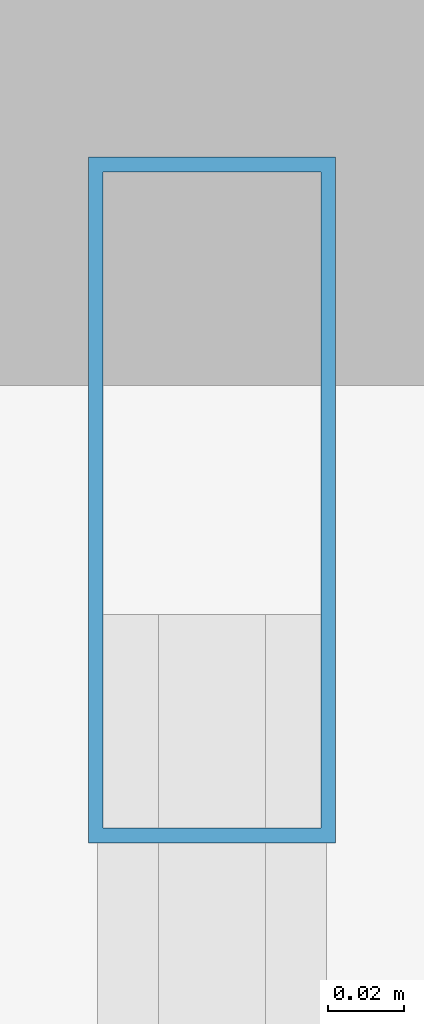
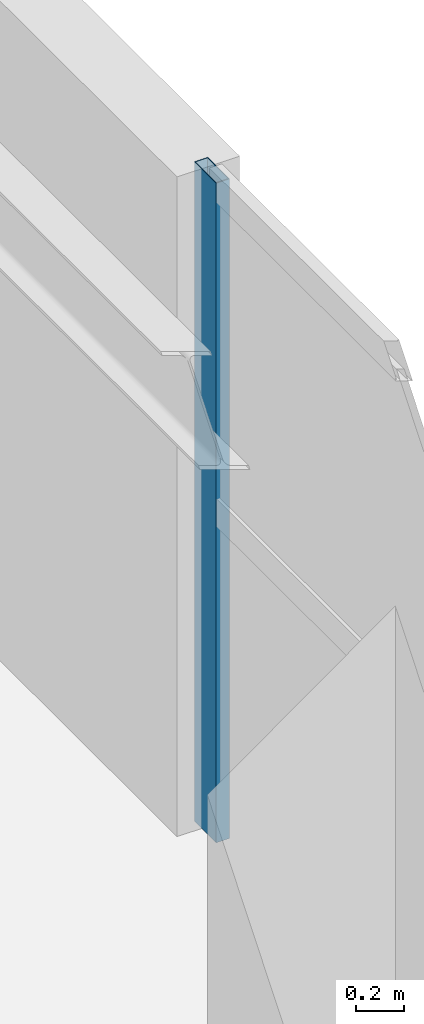
# One storey, part 12 of 22: 1 member, 1 element without a shape of its own.
"""IFC4 building model written with IfcOpenShell, lengths in metres."""

from ifc_helpers import new_model, si_unit, direction, frame, origin, origin_2d, place, context, subcontext, project, spatial, hollow_rectangle, extrude, source, transform, mapped, material, layer, layer_set, material_profile, profile_set, type_object, element, aggregate, save


model = new_model("IFC4")

# Units and contexts
model_context = context("Model", 3, precision=1e-05, world=origin(), true_north=direction((0.0, 1.0)))
body_context = subcontext(model_context, "Body", "Model", "MODEL_VIEW")
ifc_project = project(units=[si_unit("LENGTHUNIT", "METRE"), si_unit("AREAUNIT", "SQUARE_METRE"), si_unit("VOLUMEUNIT", "CUBIC_METRE"), si_unit("PLANEANGLEUNIT", "RADIAN"), si_unit("MASSUNIT", "GRAM", prefix="KILO")], contexts=[model_context])

# Site, building, storey
site_placement = place(None, origin())
site = spatial("IfcSite", under=ifc_project, at=site_placement, CompositionType="ELEMENT")
building_placement = place(site_placement, origin())
building = spatial("IfcBuilding", under=site, at=building_placement, Name="Khoralis Quay Care Tower", CompositionType="ELEMENT")
storey_placement = place(building_placement, frame((0.0, 0.0, 184.5)))
storey = spatial("IfcBuildingStorey", under=building, at=storey_placement, Name="L48", CompositionType="ELEMENT", Elevation=184.5)

# Curtain wall, member
ifc_material = material(Name="Pale anodised aluminium", Category="aluminium")
ifc_layer = layer(ifc_material, 0.159912109375)
ifc_layer_set = layer_set([ifc_layer], Name="Pale anodised aluminium")
curtain_wall_type = type_object("IfcCurtainWallType", Name="CW-SYS-Z3", PredefinedType="NOTDEFINED", material=ifc_layer_set)
curtain_wall_placement = place(storey_placement, origin())
curtain_wall = element("IfcCurtainWall", 1, at=curtain_wall_placement, inside=storey, type_object=curtain_wall_type, Name="L48 Unitised Curtain Wall CW-L48-P2-E5", PredefinedType="NOTDEFINED")
ifc_material_profile = material_profile(ifc_material, hollow_rectangle(XDim=0.06494140625, YDim=0.179931640625, WallThickness=0.00390625, at=origin_2d()), Name="Pale anodised aluminium")
ifc_profile_set = profile_set([ifc_material_profile], Name="Pale anodised aluminium")
member_type = type_object("IfcMemberType", Name="CW-MUL-180", PredefinedType="MULLION", material=ifc_profile_set)
shared_shape = source(origin(), body_context, "Body", "SweptSolid", [
    extrude(hollow_rectangle(XDim=0.06494140625, YDim=0.179931640625, WallThickness=0.00390625, at=origin_2d()), origin(), (0.0, 0.0, 1.0), 3.340087890625),
])
member_placement = place(storey_placement, frame((44.85009765625, 26.489990234375, 0.0), z_axis=(0.0, 0.0, 1.0), x_axis=(-1.0, 0.0, 0.0)))
member = element("IfcMember", 2, at=member_placement, type_object=member_type, Name="CW3 mullion 3", PredefinedType="MULLION", context=body_context, shape_type="MappedRepresentation", body=[
    mapped(shared_shape, transform((0.0, 0.0, 0.0), scale=1.0)),
])
aggregate(curtain_wall, [member])

save(model, "model.ifc")
